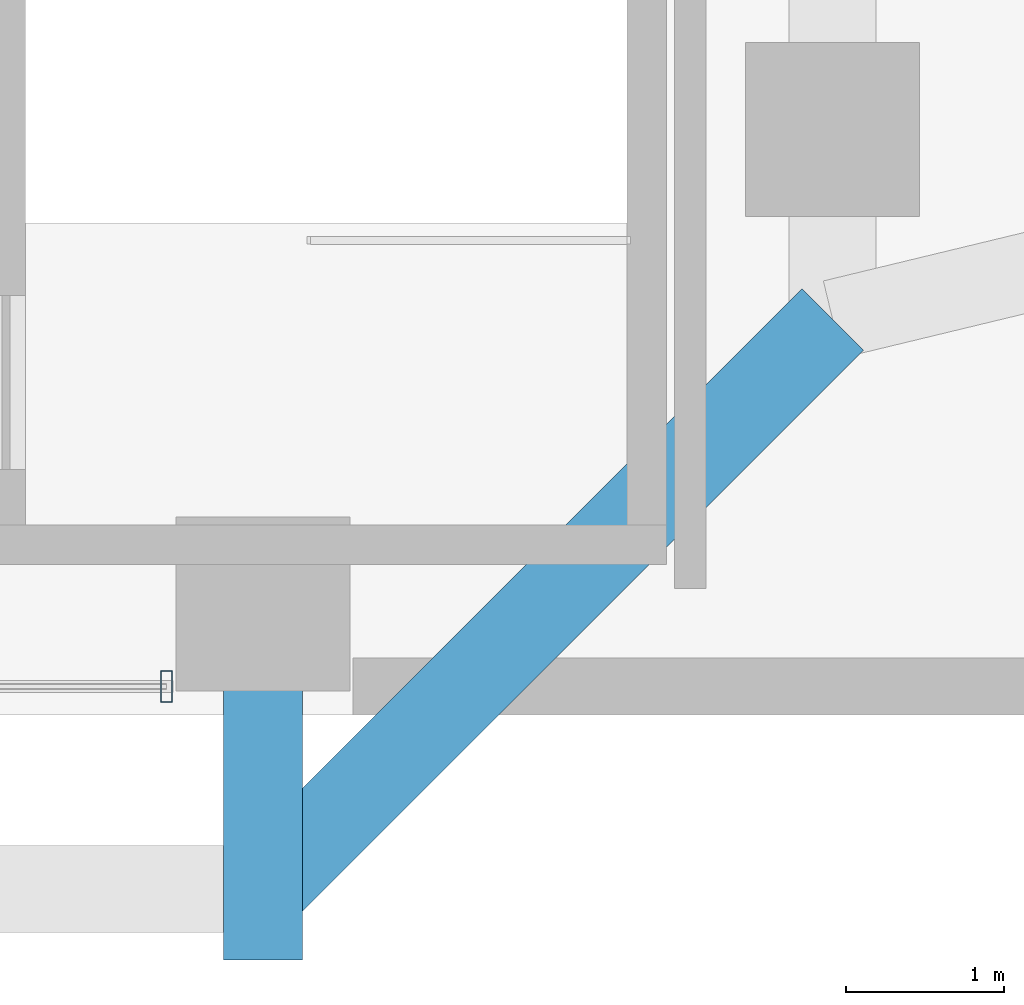
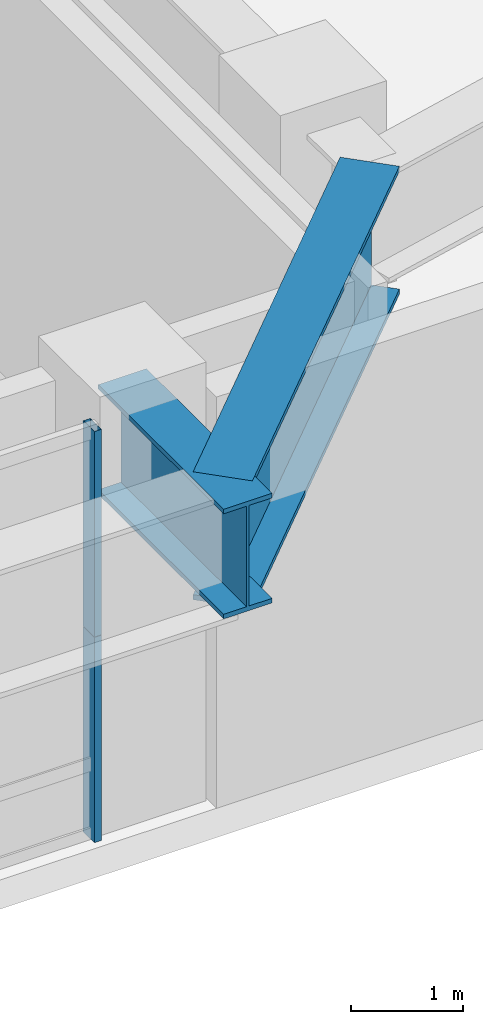
# One storey, part 15 of 34: 2 beams, 2 members, 1 element without a shape of its own.
"""IFC4 building model written with IfcOpenShell, lengths in metres."""

from ifc_helpers import new_model, si_unit, direction, frame, origin, origin_2d, place, context, subcontext, project, spatial, hollow_rectangle, i_section, extrude, source, transform, mapped, material, layer, layer_set, material_profile, profile_set, type_object, element, aggregate, save


model = new_model("IFC4")

# Units and contexts
model_context = context("Model", 3, precision=1e-05, world=origin(), true_north=direction((0.0, 1.0)))
body_context = subcontext(model_context, "Body", "Model", "MODEL_VIEW")
ifc_project = project(units=[si_unit("LENGTHUNIT", "METRE"), si_unit("AREAUNIT", "SQUARE_METRE"), si_unit("VOLUMEUNIT", "CUBIC_METRE"), si_unit("PLANEANGLEUNIT", "RADIAN"), si_unit("MASSUNIT", "GRAM", prefix="KILO"), si_unit("THERMODYNAMICTEMPERATUREUNIT", "KELVIN"), si_unit("POWERUNIT", "WATT")], contexts=[model_context])

# Site, building, storey
site_placement = place(None, origin())
site = spatial("IfcSite", under=ifc_project, at=site_placement, CompositionType="ELEMENT")
building_placement = place(site_placement, origin())
building = spatial("IfcBuilding", under=site, at=building_placement, Name="Yuzanri Waterfront Tower", CompositionType="ELEMENT")
storey_placement = place(building_placement, frame((0.0, 0.0, 25.800048828125)))
storey = spatial("IfcBuildingStorey", under=building, at=storey_placement, Name="L06", CompositionType="ELEMENT", Elevation=25.800048828125)

# Beams
ifc_material_1 = material(Name="Steel Q420GJC", Category="steel")
ifc_material_profile_1 = material_profile(ifc_material_1, i_section(OverallWidth=0.550048828125, OverallDepth=1.39990234375, WebThickness=0.030029296875, FlangeThickness=0.054931640625, at=origin_2d()), Name="PG 1400x550x30x55")
ifc_profile_set_1 = profile_set([ifc_material_profile_1], Name="Steel Q420GJC")
beam_type_1 = type_object("IfcBeamType", Name="Tower Base Transfer Girder Q420GJC PG 1400x550", PredefinedType="USERDEFINED", material=ifc_profile_set_1)
shared_shape_1 = source(origin(), body_context, "Body", "SweptSolid", [
    extrude(i_section(OverallWidth=0.550048828125, OverallDepth=1.39990234375, WebThickness=0.030029296875, FlangeThickness=0.054931640625, at=origin_2d()), origin(), (0.0, 0.0, 1.0), 5.09130859375),
])
beam_1_placement = place(storey_placement, frame((58.5, 0.699951171875, 3.800048828125), z_axis=(0.707106781187, 0.707106781187, 0.0), x_axis=(-0.707106781187, 0.707106781187, 0.0)))
element("IfcBeam", 1, at=beam_1_placement, inside=storey, type_object=beam_type_1, Name="L06 Tower Base Ring S3-E1", ObjectType="GIRDER", PredefinedType="USERDEFINED", context=body_context, shape_type="MappedRepresentation", body=[
    mapped(shared_shape_1, transform((0.0, 0.0, 0.0), scale=1.0)),
])
ifc_material_2 = material(Name="Steel Q420GJC", Category="steel")
ifc_material_profile_2 = material_profile(ifc_material_2, i_section(OverallWidth=0.5, OverallDepth=1.199951171875, WebThickness=0.028076171875, FlangeThickness=0.050048828125, at=origin_2d()), Name="PG 1200x500x28x50")
ifc_profile_set_2 = profile_set([ifc_material_profile_2], Name="Steel Q420GJC")
beam_type_2 = type_object("IfcBeamType", Name="Setback Transfer Girder Q420GJC PG 1200x500", PredefinedType="USERDEFINED", material=ifc_profile_set_2)
shared_shape_2 = source(origin(), body_context, "Body", "SweptSolid", [
    extrude(i_section(OverallWidth=0.5, OverallDepth=1.199951171875, WebThickness=0.028076171875, FlangeThickness=0.050048828125, at=origin_2d()), origin(), (0.0, 0.0, 1.0), 2.25),
])
beam_2_placement = place(storey_placement, frame((58.5, 0.25, 3.89990234375), z_axis=(0.0, 1.0, 0.0), x_axis=(-1.0, 0.0, 0.0)))
element("IfcBeam", 2, at=beam_2_placement, inside=storey, type_object=beam_type_2, Name="L06 Tower Base Tie S3", ObjectType="GIRDER", PredefinedType="USERDEFINED", context=body_context, shape_type="MappedRepresentation", body=[
    mapped(shared_shape_2, transform((0.0, 0.0, 0.0), scale=1.0)),
])

# Curtain wall, members
ifc_material_3 = material(Name="Anodized Architectural Bronze", Category="metal")
ifc_layer = layer(ifc_material_3, 0.159912109375)
ifc_layer_set = layer_set([ifc_layer], Name="Anodized Architectural Bronze")
curtain_wall_type = type_object("IfcCurtainWallType", Name="Anodized Bronze Podium Waterfront Double-Height Unitized Curtain Wall 8400", PredefinedType="NOTDEFINED", material=ifc_layer_set)
curtain_wall_placement = place(storey_placement, origin())
curtain_wall = element("IfcCurtainWall", 3, at=curtain_wall_placement, inside=storey, type_object=curtain_wall_type, Name="L06 Curtain Wall CW-L06-S2", PredefinedType="NOTDEFINED")
ifc_material_4 = material(Name="Anodized Architectural Bronze", Category="metal")
ifc_material_profile_3 = material_profile(ifc_material_4, hollow_rectangle(XDim=0.074951171875, YDim=0.199951171875, WallThickness=0.00390625, at=origin_2d()), Name="CWM 75x200")
ifc_profile_set_3 = profile_set([ifc_material_profile_3], Name="Anodized Architectural Bronze")
member_type = type_object("IfcMemberType", Name="Anodized Bronze Primary Curtain-Wall Mullion 75x200", PredefinedType="MULLION", material=ifc_profile_set_3)
shared_shape_3 = source(origin(), body_context, "Body", "SweptSolid", [
    extrude(hollow_rectangle(XDim=0.074951171875, YDim=0.199951171875, WallThickness=0.00390625, at=origin_2d()), origin(), (0.0, 0.0, 1.0), 2.248046875),
])
member_1_placement = place(storey_placement, frame((57.889892578125, 1.97998046875, 0.0), z_axis=(0.0, 0.0, 1.0), x_axis=(1.0, 0.0, 0.0)))
member_1 = element("IfcMember", 4, at=member_1_placement, type_object=member_type, Name="CW-L06-S2 Lower Mullion 02", PredefinedType="MULLION", context=body_context, shape_type="MappedRepresentation", body=[
    mapped(shared_shape_3, transform((0.0, 0.0, 0.0), scale=1.0)),
])
member_2_placement = place(storey_placement, frame((57.889892578125, 1.97998046875, 2.251953125), z_axis=(0.0, 0.0, 1.0), x_axis=(1.0, 0.0, 0.0)))
member_2 = element("IfcMember", 5, at=member_2_placement, type_object=member_type, Name="CW-L06-S2 Upper Mullion 02", PredefinedType="MULLION", context=body_context, shape_type="MappedRepresentation", body=[
    mapped(shared_shape_3, transform((0.0, 0.0, 0.0), scale=1.0)),
])
aggregate(curtain_wall, [member_1, member_2])

save(model, "model.ifc")
